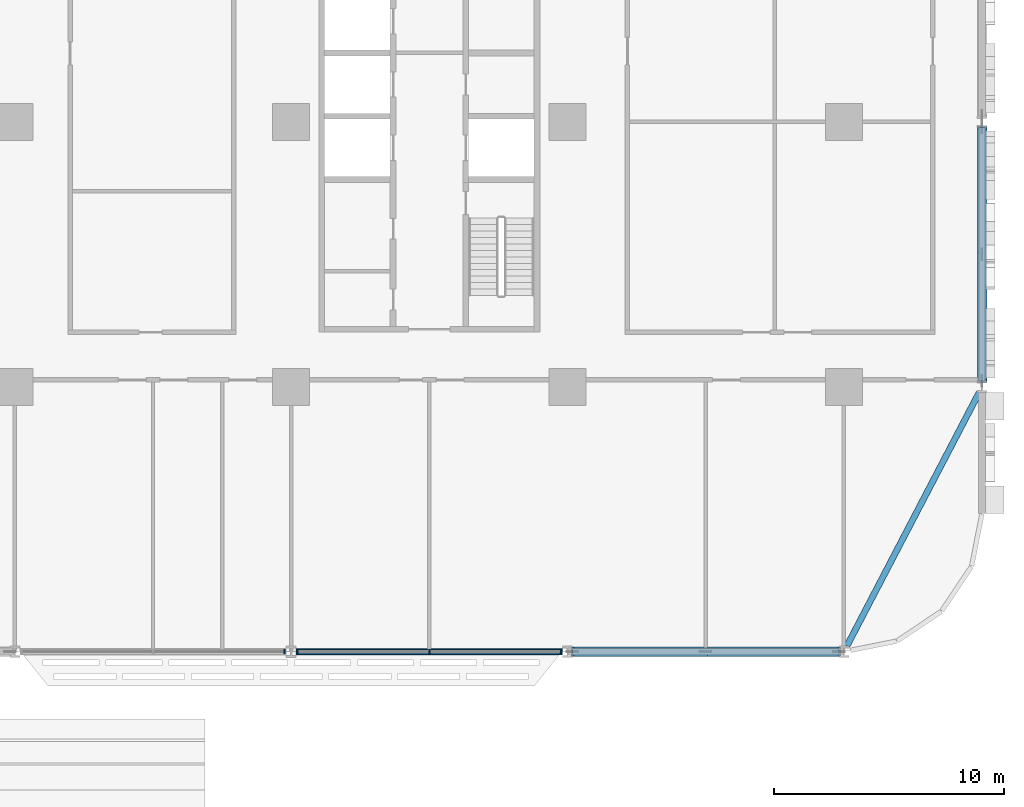
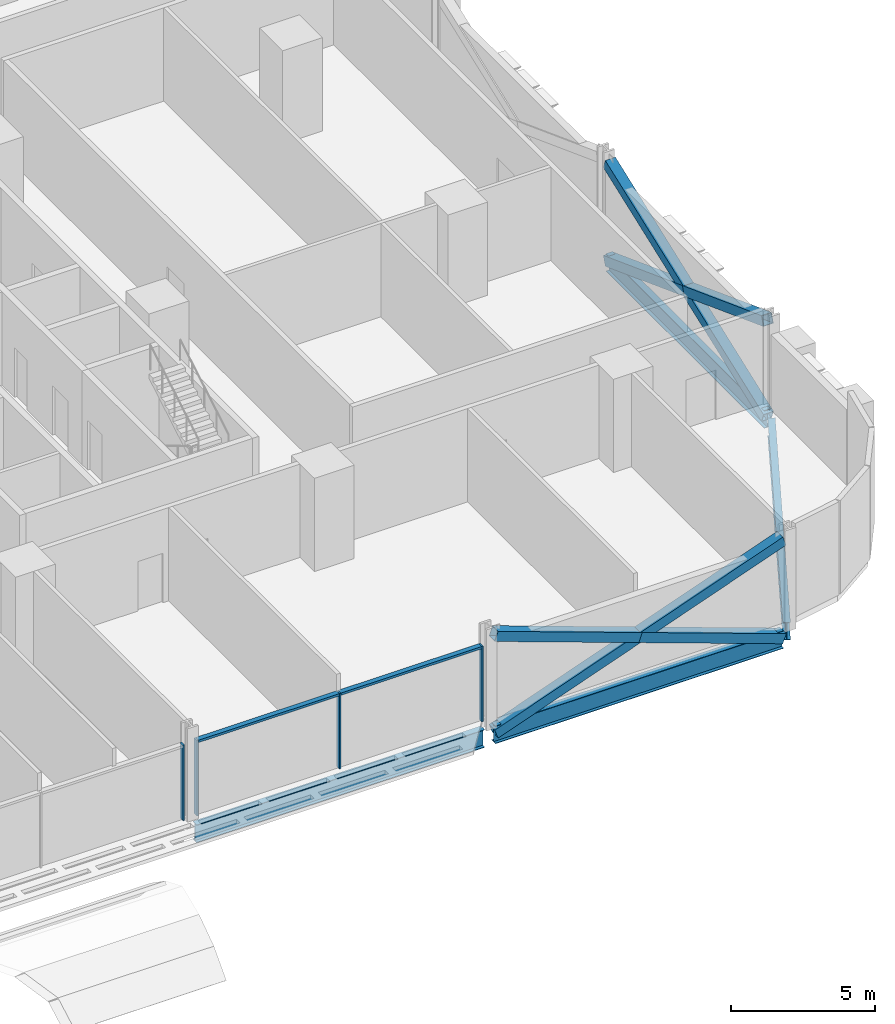
# One storey, part 6 of 26: 12 members, 4 beams, 2 elements without a shape of their own.
"""IFC4 building model written with IfcOpenShell, lengths in metres."""

from ifc_helpers import new_model, si_unit, direction, frame, origin, origin_2d, place, context, subcontext, project, spatial, rectangle, hollow_rectangle, i_section, extrude, material, material_profile, profile_set, type_object, element, aggregate, save


model = new_model("IFC4")

# Units and contexts
model_context = context("Model", 3, precision=1e-05, world=origin(), true_north=direction((0.0, 1.0)))
body_context = subcontext(model_context, "Body", "Model", "MODEL_VIEW")
ifc_project = project(units=[si_unit("LENGTHUNIT", "METRE"), si_unit("AREAUNIT", "SQUARE_METRE"), si_unit("VOLUMEUNIT", "CUBIC_METRE"), si_unit("PLANEANGLEUNIT", "RADIAN"), si_unit("MASSUNIT", "GRAM", prefix="KILO")], contexts=[model_context])

# Site, building, storey
site_placement = place(None, origin())
site = spatial("IfcSite", under=ifc_project, at=site_placement, CompositionType="ELEMENT")
building_placement = place(site_placement, origin())
building = spatial("IfcBuilding", under=site, at=building_placement, Name="Mahtab Terrace Research Tower", CompositionType="ELEMENT")
storey_placement = place(building_placement, frame((0.0, 0.0, 15.800048828125)))
storey = spatial("IfcBuildingStorey", under=building, at=storey_placement, Name="L03", CompositionType="ELEMENT", Elevation=15.800048828125)

# Members
ifc_material_1 = material(Name="Steel ASTM A500 Gr C", Category="steel")
ifc_material_profile_1 = material_profile(ifc_material_1, hollow_rectangle(XDim=0.406494140625, YDim=0.406494140625, WallThickness=0.01904296875, at=origin_2d()), Name="HSS16X16X3/4")
ifc_profile_set_1 = profile_set([ifc_material_profile_1], Name="Steel ASTM A500 Gr C")
member_type_1 = type_object("IfcMemberType", Name="HSS 16x16x3/4 brace XB161634", PredefinedType="BRACE", material=ifc_profile_set_1)
member_1_placement = place(storey_placement, frame((30.2158203125, -23.0, -0.64111328125), z_axis=(0.941388097231, 0.0, 0.337325436917), x_axis=(0.0, 1.0, 0.0)))
element("IfcMember", 1, at=member_1_placement, inside=storey, type_object=member_type_1, Name="Exoskeleton brace L03 18 a", PredefinedType="BRACE", context=body_context, shape_type="SweptSolid", body=[
    extrude(hollow_rectangle(XDim=0.406494140625, YDim=0.406494140625, WallThickness=0.01904296875, at=origin_2d()), origin(), (0.0, 0.0, 1.0), 12.28857421875),
])
for number, where, z_axis, x_axis, name in (
    (2, (41.7841796875, -23.0, -0.64111328125), (-0.941394406025, 0.0, 0.337307830185), (0.0, -1.0, 0.0), "Exoskeleton brace L03 18 b1"),
    (3, (36.0, -23.0, 1.431396484375), (-0.941381788192, 0.0, 0.337343043295), (0.0, -1.0, 0.0), "Exoskeleton brace L03 18 b2"),
):
    element("IfcMember", number, at=place(storey_placement, frame(where, z_axis=z_axis, x_axis=x_axis)), inside=storey, type_object=member_type_1, Name=name, PredefinedType="BRACE", context=body_context, shape_type="SweptSolid", body=[
        extrude(hollow_rectangle(XDim=0.406494140625, YDim=0.406494140625, WallThickness=0.01904296875, at=origin_2d()), origin(), (0.0, 0.0, 1.0), 6.144287109375),
    ])
member_2_placement = place(storey_placement, frame((48.0, -11.251220703125, -0.62548828125), z_axis=(0.0, 0.936661873217, 0.350234971499), x_axis=(-1.0, 0.0, 0.0)))
element("IfcMember", 4, at=member_2_placement, inside=storey, type_object=member_type_1, Name="Exoskeleton brace L03 20 a", PredefinedType="BRACE", context=body_context, shape_type="SweptSolid", body=[
    extrude(hollow_rectangle(XDim=0.406494140625, YDim=0.406494140625, WallThickness=0.01904296875, at=origin_2d()), origin(), (0.0, 0.0, 1.0), 11.746337890625),
])
for number, where, z_axis, x_axis, name in (
    (5, (48.0, -0.248779296875, -0.62548828125), (0.0, -0.936668691391, 0.350216736563), (1.0, 0.0, 0.0), "Exoskeleton brace L03 20 b1"),
    (6, (48.0, -5.75, 1.431396484375), (0.0, -0.936655054788, 0.350253206038), (1.0, 0.0, 0.0), "Exoskeleton brace L03 20 b2"),
):
    element("IfcMember", number, at=place(storey_placement, frame(where, z_axis=z_axis, x_axis=x_axis)), inside=storey, type_object=member_type_1, Name=name, PredefinedType="BRACE", context=body_context, shape_type="SweptSolid", body=[
        extrude(hollow_rectangle(XDim=0.406494140625, YDim=0.406494140625, WallThickness=0.01904296875, at=origin_2d()), origin(), (0.0, 0.0, 1.0), 5.873291015625),
    ])

# Curtain wall, member
ifc_material_2 = material(Name="Laboratory ribbon curtain wall")
curtain_wall_type = type_object("IfcCurtainWallType", Name="Laboratory ribbon curtain wall", PredefinedType="NOTDEFINED", material=ifc_material_2)
curtain_wall_1_placement = place(storey_placement, origin())
curtain_wall_1 = element("IfcCurtainWall", 7, at=curtain_wall_1_placement, inside=storey, type_object=curtain_wall_type, Name="EN.L03.13.26", PredefinedType="NOTDEFINED")
ifc_material_3 = material(Name="Natural anodised aluminium", Category="aluminium")
ifc_material_profile_2 = material_profile(ifc_material_3, rectangle(XDim=0.199951171875, YDim=0.06494140625, at=origin_2d()), Name="MULLION 65x200")
ifc_profile_set_2 = profile_set([ifc_material_profile_2], Name="Natural anodised aluminium")
member_type_2 = type_object("IfcMemberType", Name="Laboratory ribbon curtain wall mullion", PredefinedType="MULLION", material=ifc_profile_set_2)
member_3_placement = place(storey_placement, frame((17.718505859375, -23.0, 0.0), z_axis=(0.0, 0.0, 1.0), x_axis=(0.0, 1.0, 0.0)))
member_3 = element("IfcMember", 8, at=member_3_placement, type_object=member_type_2, Name="CWL-1 mullion 3", PredefinedType="MULLION", context=body_context, shape_type="SweptSolid", body=[
    extrude(rectangle(XDim=0.199951171875, YDim=0.06494140625, at=origin_2d()), origin(), (0.0, 0.0, 1.0), 3.203125),
])
aggregate(curtain_wall_1, [member_3])

# Curtain wall, members
curtain_wall_2_placement = place(storey_placement, origin())
curtain_wall_2 = element("IfcCurtainWall", 9, at=curtain_wall_2_placement, inside=storey, type_object=curtain_wall_type, Name="EN.L03.13.27", PredefinedType="NOTDEFINED")
member_4_placement = place(storey_placement, frame((18.281494140625, -23.0, 0.0), z_axis=(0.0, 0.0, 1.0), x_axis=(0.0, 1.0, 0.0)))
member_4 = element("IfcMember", 10, at=member_4_placement, type_object=member_type_2, Name="CWL-1 mullion 1", PredefinedType="MULLION", context=body_context, shape_type="SweptSolid", body=[
    extrude(rectangle(XDim=0.199951171875, YDim=0.06494140625, at=origin_2d()), origin(), (0.0, 0.0, 1.0), 3.203125),
])
member_5_placement = place(storey_placement, frame((24.0, -23.0, 0.0), z_axis=(0.0, 0.0, 1.0), x_axis=(0.0, 1.0, 0.0)))
member_5 = element("IfcMember", 11, at=member_5_placement, type_object=member_type_2, Name="CWL-1 mullion 2", PredefinedType="MULLION", context=body_context, shape_type="SweptSolid", body=[
    extrude(rectangle(XDim=0.199951171875, YDim=0.06494140625, at=origin_2d()), origin(), (0.0, 0.0, 1.0), 3.203125),
])
member_6_placement = place(storey_placement, frame((29.718505859375, -23.0, 0.0), z_axis=(0.0, 0.0, 1.0), x_axis=(0.0, 1.0, 0.0)))
member_6 = element("IfcMember", 12, at=member_6_placement, type_object=member_type_2, Name="CWL-1 mullion 3", PredefinedType="MULLION", context=body_context, shape_type="SweptSolid", body=[
    extrude(rectangle(XDim=0.199951171875, YDim=0.06494140625, at=origin_2d()), origin(), (0.0, 0.0, 1.0), 3.203125),
])
ifc_material_profile_3 = material_profile(ifc_material_3, rectangle(XDim=0.199951171875, YDim=0.10009765625, at=origin_2d()), Name="TRANSOM 100x200")
ifc_profile_set_3 = profile_set([ifc_material_profile_3], Name="Natural anodised aluminium")
member_type_3 = type_object("IfcMemberType", Name="Laboratory ribbon curtain wall transom", PredefinedType="USERDEFINED", material=ifc_profile_set_3)
member_7_placement = place(storey_placement, frame((18.31396484375, -23.0, 3.153076171875), z_axis=(1.0, 0.0, 0.0), x_axis=(0.0, 1.0, 0.0)))
member_7 = element("IfcMember", 13, at=member_7_placement, type_object=member_type_3, Name="CWL-1 transom 1", ObjectType="TRANSOM", PredefinedType="USERDEFINED", context=body_context, shape_type="SweptSolid", body=[
    extrude(rectangle(XDim=0.199951171875, YDim=0.10009765625, at=origin_2d()), origin(), (0.0, 0.0, 1.0), 5.653564453125),
])
member_8_placement = place(storey_placement, frame((24.032470703125, -23.0, 3.153076171875), z_axis=(1.0, 0.0, 0.0), x_axis=(0.0, 1.0, 0.0)))
member_8 = element("IfcMember", 14, at=member_8_placement, type_object=member_type_3, Name="CWL-1 transom 2", ObjectType="TRANSOM", PredefinedType="USERDEFINED", context=body_context, shape_type="SweptSolid", body=[
    extrude(rectangle(XDim=0.199951171875, YDim=0.10009765625, at=origin_2d()), origin(), (0.0, 0.0, 1.0), 5.653564453125),
])
aggregate(curtain_wall_2, [member_4, member_5, member_6, member_7, member_8])

# Beams
ifc_material_4 = material(Name="Steel ASTM A992 Gr 50", Category="steel")
ifc_material_profile_4 = material_profile(ifc_material_4, i_section(OverallWidth=0.2666015625, OverallDepth=0.7568359375, WebThickness=0.013916015625, FlangeThickness=0.019287109375, at=origin_2d()), Name="W30X108")
ifc_profile_set_4 = profile_set([ifc_material_profile_4], Name="Steel ASTM A992 Gr 50")
beam_type = type_object("IfcBeamType", Name="W30x108 beam BS30108", PredefinedType="BEAM", material=ifc_profile_set_4)
for number, where, z_axis, x_axis, name in (
    (15, (18.2158203125, -23.0, -0.718505859375), (1.0, 0.0, 0.0), (0.0, 1.0, 0.0), "Spandrel beam L03 17"),
    (16, (30.2158203125, -23.0, -0.718505859375), (1.0, 0.0, 0.0), (0.0, 1.0, 0.0), "Spandrel beam L03 18"),
):
    element("IfcBeam", number, at=place(storey_placement, frame(where, z_axis=z_axis, x_axis=x_axis)), inside=storey, type_object=beam_type, Name=name, PredefinedType="BEAM", context=body_context, shape_type="SweptSolid", body=[
        extrude(i_section(OverallWidth=0.2666015625, OverallDepth=0.7568359375, WebThickness=0.013916015625, FlangeThickness=0.019287109375, at=origin_2d()), origin(), (0.0, 0.0, 1.0), 11.568359375),
    ])
beam_1_placement = place(storey_placement, frame((42.1298828125, -22.751220703125, -0.718505859375), z_axis=(0.462555249274, 0.88659045865, 0.0), x_axis=(-0.88659045865, 0.462555249274, 0.0)))
element("IfcBeam", 17, at=beam_1_placement, inside=storey, type_object=beam_type, Name="Spandrel beam L03 19", PredefinedType="BEAM", context=body_context, shape_type="SweptSolid", body=[
    extrude(i_section(OverallWidth=0.2666015625, OverallDepth=0.7568359375, WebThickness=0.013916015625, FlangeThickness=0.019287109375, at=origin_2d()), origin(), (0.0, 0.0, 1.0), 12.409912109375),
])
beam_2_placement = place(storey_placement, frame((48.0, -11.251220703125, -0.718505859375), z_axis=(0.0, 1.0, 0.0), x_axis=(-1.0, 0.0, 0.0)))
element("IfcBeam", 18, at=beam_2_placement, inside=storey, type_object=beam_type, Name="Spandrel beam L03 20", PredefinedType="BEAM", context=body_context, shape_type="SweptSolid", body=[
    extrude(i_section(OverallWidth=0.2666015625, OverallDepth=0.7568359375, WebThickness=0.013916015625, FlangeThickness=0.019287109375, at=origin_2d()), origin(), (0.0, 0.0, 1.0), 11.00244140625),
])

save(model, "model.ifc")
